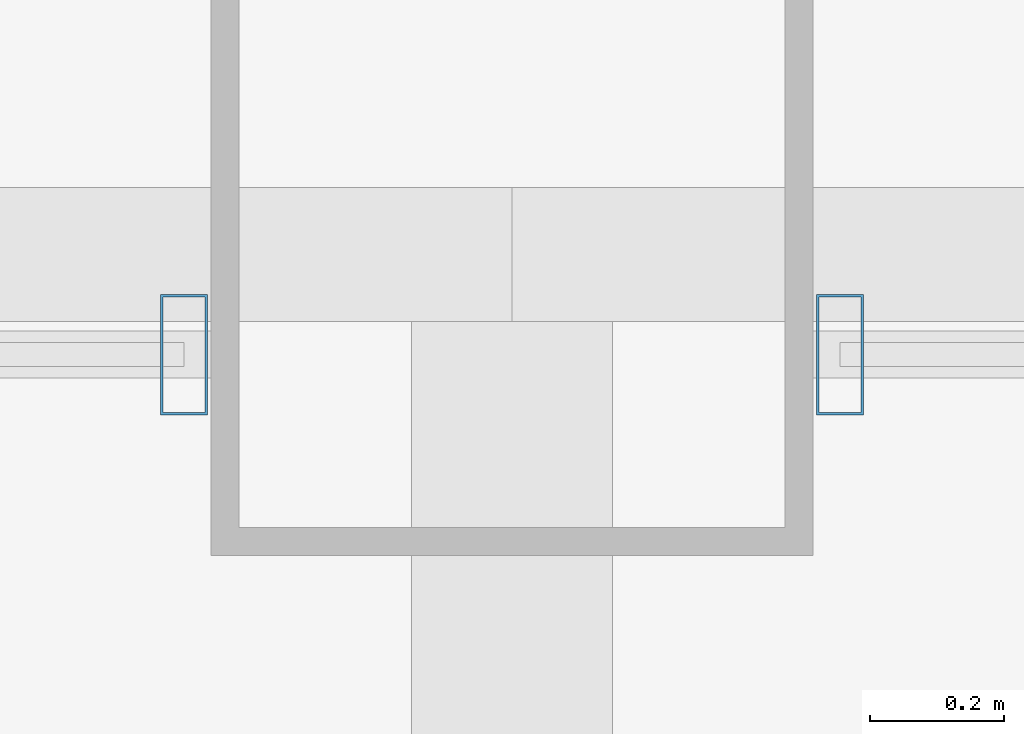
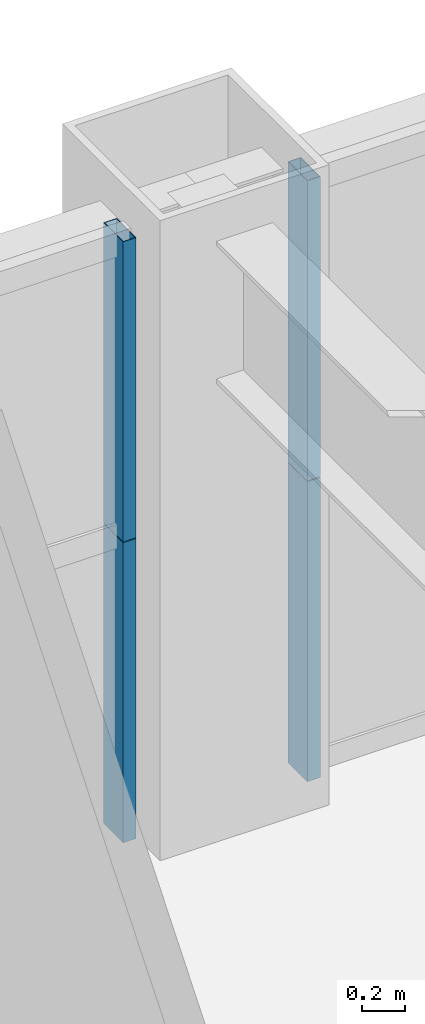
# One storey, part 30 of 43: 4 members, 2 elements without a shape of their own.
"""IFC4 building model written with IfcOpenShell, lengths in metres."""

from ifc_helpers import new_model, si_unit, direction, frame, origin, origin_2d, place, context, subcontext, project, spatial, hollow_rectangle, extrude, source, transform, mapped, material, layer, layer_set, material_profile, profile_set, type_object, element, aggregate, save


model = new_model("IFC4")

# Units and contexts
model_context = context("Model", 3, precision=1e-05, world=origin(), true_north=direction((0.0, 1.0)))
body_context = subcontext(model_context, "Body", "Model", "MODEL_VIEW")
ifc_project = project(units=[si_unit("LENGTHUNIT", "METRE"), si_unit("AREAUNIT", "SQUARE_METRE"), si_unit("VOLUMEUNIT", "CUBIC_METRE"), si_unit("PLANEANGLEUNIT", "RADIAN"), si_unit("MASSUNIT", "GRAM", prefix="KILO"), si_unit("THERMODYNAMICTEMPERATUREUNIT", "KELVIN"), si_unit("POWERUNIT", "WATT")], contexts=[model_context])

# Site, building, storey
site_placement = place(None, origin())
site = spatial("IfcSite", under=ifc_project, at=site_placement, CompositionType="ELEMENT")
building_placement = place(site_placement, origin())
building = spatial("IfcBuilding", under=site, at=building_placement, Name="Yuzanri Waterfront Tower", CompositionType="ELEMENT")
storey_placement = place(building_placement, frame((0.0, 0.0, 74.800048828125)))
storey = spatial("IfcBuildingStorey", under=building, at=storey_placement, Name="L19", CompositionType="ELEMENT", Elevation=74.800048828125)

# Curtain wall, members
ifc_material_1 = material(Name="Anodized Architectural Bronze", Category="metal")
ifc_layer = layer(ifc_material_1, 0.159912109375)
ifc_layer_set = layer_set([ifc_layer], Name="Anodized Architectural Bronze")
curtain_wall_type = type_object("IfcCurtainWallType", Name="Anodized Bronze Hotel Lower-Tier Recessed Unitized Curtain Wall 8100", PredefinedType="NOTDEFINED", material=ifc_layer_set)
curtain_wall_1_placement = place(storey_placement, origin())
curtain_wall_1 = element("IfcCurtainWall", 1, at=curtain_wall_1_placement, inside=storey, type_object=curtain_wall_type, Name="L19 Curtain Wall CW-L19-NL", PredefinedType="NOTDEFINED")
ifc_material_2 = material(Name="Anodized Architectural Bronze", Category="metal")
ifc_material_profile = material_profile(ifc_material_2, hollow_rectangle(XDim=0.070068359375, YDim=0.179931640625, WallThickness=0.00390625, at=origin_2d()), Name="CWM 70x180")
ifc_profile_set = profile_set([ifc_material_profile], Name="Anodized Architectural Bronze")
member_type = type_object("IfcMemberType", Name="Anodized Bronze Standard Curtain-Wall Mullion 70x180", PredefinedType="MULLION", material=ifc_profile_set)
shared_shape = source(origin(), body_context, "Body", "SweptSolid", [
    extrude(hollow_rectangle(XDim=0.070068359375, YDim=0.179931640625, WallThickness=0.00390625, at=origin_2d()), origin(), (0.0, 0.0, 1.0), 1.68798828125),
])
member_1_placement = place(storey_placement, frame((36.510009765625, 50.75, 0.0), z_axis=(0.0, 0.0, 1.0), x_axis=(1.0, 0.0, 0.0)))
member_1 = element("IfcMember", 2, at=member_1_placement, type_object=member_type, Name="CW-L19-NL Lower Mullion 02", PredefinedType="MULLION", context=body_context, shape_type="MappedRepresentation", body=[
    mapped(shared_shape, transform((0.0, 0.0, 0.0), scale=1.0)),
])
member_2_placement = place(storey_placement, frame((36.510009765625, 50.75, 1.69189453125), z_axis=(0.0, 0.0, 1.0), x_axis=(1.0, 0.0, 0.0)))
member_2 = element("IfcMember", 3, at=member_2_placement, type_object=member_type, Name="CW-L19-NL Upper Mullion 02", PredefinedType="MULLION", context=body_context, shape_type="MappedRepresentation", body=[
    mapped(shared_shape, transform((0.0, 0.0, 0.0), scale=1.0)),
])
aggregate(curtain_wall_1, [member_1, member_2])

curtain_wall_2_placement = place(storey_placement, origin())
curtain_wall_2 = element("IfcCurtainWall", 4, at=curtain_wall_2_placement, inside=storey, type_object=curtain_wall_type, Name="L19 Curtain Wall CW-L19-NR", PredefinedType="NOTDEFINED")
member_3_placement = place(storey_placement, frame((37.489990234375, 50.75, 0.0), z_axis=(0.0, 0.0, 1.0), x_axis=(1.0, 0.0, 0.0)))
member_3 = element("IfcMember", 5, at=member_3_placement, type_object=member_type, Name="CW-L19-NR Lower Mullion 00", PredefinedType="MULLION", context=body_context, shape_type="MappedRepresentation", body=[
    mapped(shared_shape, transform((0.0, 0.0, 0.0), scale=1.0)),
])
member_4_placement = place(storey_placement, frame((37.489990234375, 50.75, 1.69189453125), z_axis=(0.0, 0.0, 1.0), x_axis=(1.0, 0.0, 0.0)))
member_4 = element("IfcMember", 6, at=member_4_placement, type_object=member_type, Name="CW-L19-NR Upper Mullion 00", PredefinedType="MULLION", context=body_context, shape_type="MappedRepresentation", body=[
    mapped(shared_shape, transform((0.0, 0.0, 0.0), scale=1.0)),
])
aggregate(curtain_wall_2, [member_3, member_4])

save(model, "model.ifc")
